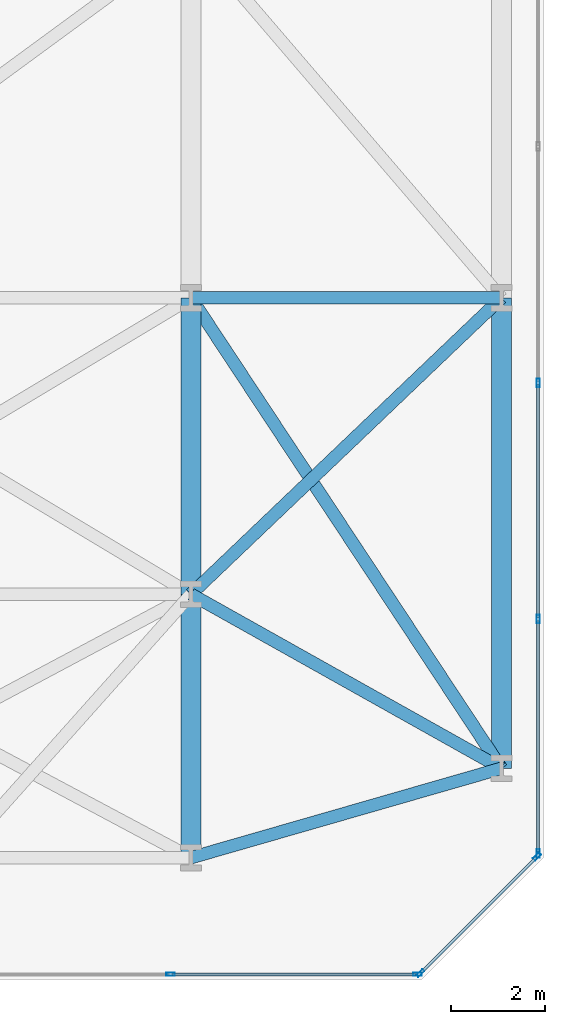
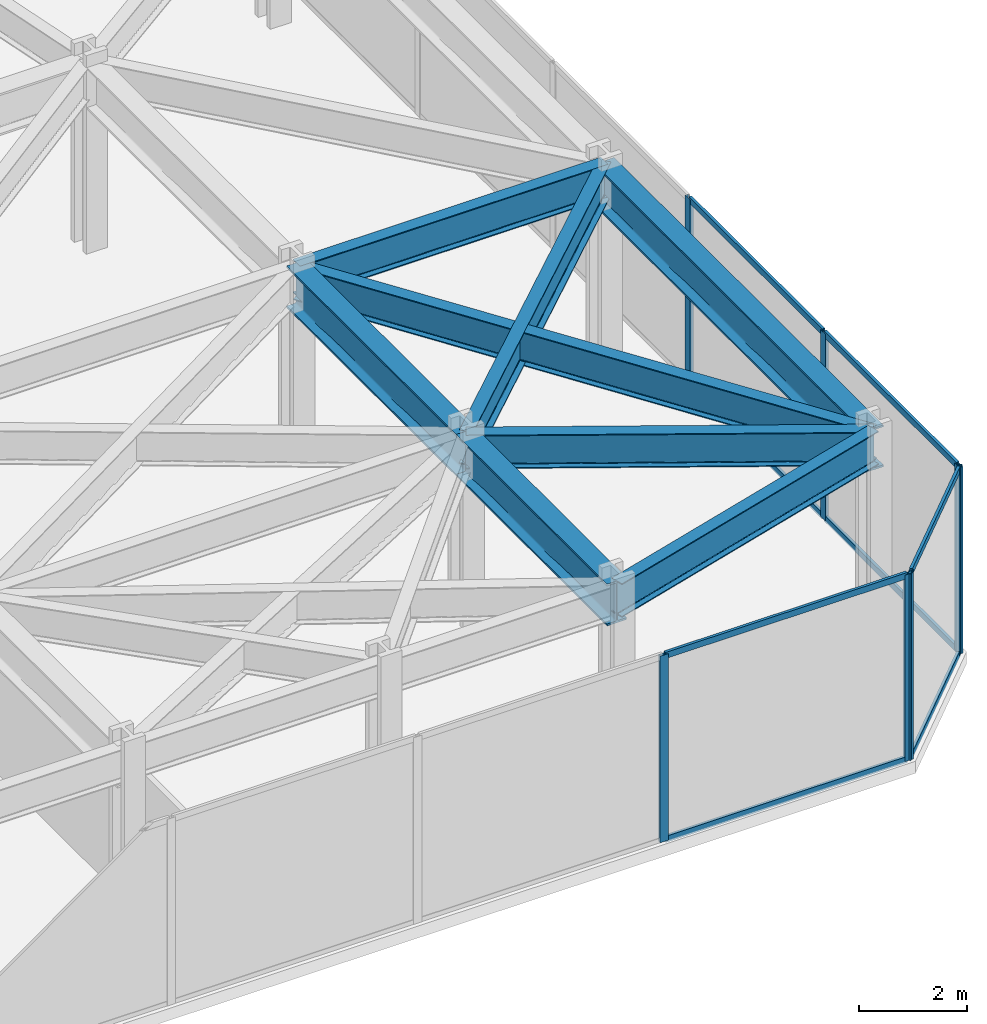
# One storey, part 21 of 28: 15 members, 8 beams, 3 elements without a shape of their own.
"""IFC4 building model written with IfcOpenShell, lengths in metres."""

from ifc_helpers import new_model, si_unit, direction, frame, origin, origin_2d, place, context, subcontext, project, spatial, hollow_rectangle, i_section, extrude, material, layer, layer_set, material_profile, profile_set, type_object, element, aggregate, save


model = new_model("IFC4")

# Units and contexts
model_context = context("Model", 3, precision=1e-05, world=origin(), true_north=direction((0.0, 1.0)))
body_context = subcontext(model_context, "Body", "Model", "MODEL_VIEW")
ifc_project = project(units=[si_unit("LENGTHUNIT", "METRE"), si_unit("AREAUNIT", "SQUARE_METRE"), si_unit("VOLUMEUNIT", "CUBIC_METRE"), si_unit("PLANEANGLEUNIT", "RADIAN"), si_unit("MASSUNIT", "GRAM", prefix="KILO")], contexts=[model_context])

# Site, building, storey
site_placement = place(None, origin())
site = spatial("IfcSite", under=ifc_project, at=site_placement, CompositionType="ELEMENT")
building_placement = place(site_placement, origin())
building = spatial("IfcBuilding", under=site, at=building_placement, Name="Kravanh Interchange Tower", CompositionType="ELEMENT")
storey_placement = place(building_placement, frame((0.0, 0.0, 15.300048828125)))
storey = spatial("IfcBuildingStorey", under=building, at=storey_placement, Name="L03", CompositionType="ELEMENT", Elevation=15.300048828125)

# Curtain wall, members
ifc_material_1 = material(Name="Anodised Bronze Aluminium", Category="aluminium")
ifc_layer = layer(ifc_material_1, 0.179931640625)
ifc_layer_set = layer_set([ifc_layer], Name="Unitised Curtain Wall System CW-POD Podium Concourse")
curtain_wall_type = type_object("IfcCurtainWallType", Name="Unitised Curtain Wall System CW-POD Podium Concourse", PredefinedType="NOTDEFINED", material=ifc_layer_set)
curtain_wall_1_placement = place(storey_placement, origin())
curtain_wall_1 = element("IfcCurtainWall", 1, at=curtain_wall_1_placement, inside=storey, type_object=curtain_wall_type, Name="L03 Unitised Curtain Wall CW-L03-02", PredefinedType="NOTDEFINED")
ifc_material_2 = material(Name="Anodised Bronze Aluminium", Category="aluminium")
ifc_material_profile_1 = material_profile(ifc_material_2, hollow_rectangle(XDim=0.070068359375, YDim=0.179931640625, WallThickness=0.00390625, at=origin_2d()), Name="ALU70X180X4")
ifc_profile_set_1 = profile_set([ifc_material_profile_1], Name="Anodised Bronze Aluminium")
member_type_1 = type_object("IfcMemberType", Name="Curtain Wall Mullion ALU70X180X4 Bronze", PredefinedType="MULLION", material=ifc_profile_set_1)
member_1_placement = place(storey_placement, frame((73.8798828125, 12.692626953125, 0.0), z_axis=(0.0, 0.0, 1.0), x_axis=(1.0, 0.0, 0.0)))
member_1 = element("IfcMember", 2, at=member_1_placement, type_object=member_type_1, Name="CW-POD mullion 6", PredefinedType="MULLION", context=body_context, shape_type="SweptSolid", body=[
    extrude(hollow_rectangle(XDim=0.070068359375, YDim=0.179931640625, WallThickness=0.00390625, at=origin_2d()), origin(), (0.0, 0.0, 1.0), 4.22998046875),
])
member_2_placement = place(storey_placement, frame((73.8798828125, 7.671142578125, 0.0), z_axis=(0.0, 0.0, 1.0), x_axis=(1.0, 0.0, 0.0)))
member_2 = element("IfcMember", 3, at=member_2_placement, type_object=member_type_1, Name="CW-POD mullion 7", PredefinedType="MULLION", context=body_context, shape_type="SweptSolid", body=[
    extrude(hollow_rectangle(XDim=0.070068359375, YDim=0.179931640625, WallThickness=0.00390625, at=origin_2d()), origin(), (0.0, 0.0, 1.0), 4.22998046875),
])
member_3_placement = place(storey_placement, frame((73.8798828125, 2.684814453125, 0.0), z_axis=(0.0, 0.0, 1.0), x_axis=(1.0, 0.0, 0.0)))
member_3 = element("IfcMember", 4, at=member_3_placement, type_object=member_type_1, Name="CW-POD mullion 8", PredefinedType="MULLION", context=body_context, shape_type="SweptSolid", body=[
    extrude(hollow_rectangle(XDim=0.070068359375, YDim=0.179931640625, WallThickness=0.00390625, at=origin_2d()), origin(), (0.0, 0.0, 1.0), 4.22998046875),
])

curtain_wall_2_placement = place(storey_placement, origin())
curtain_wall_2 = element("IfcCurtainWall", 5, at=curtain_wall_2_placement, inside=storey, type_object=curtain_wall_type, Name="L03 Unitised Curtain Wall CW-L03-03", PredefinedType="NOTDEFINED")
member_4_placement = place(storey_placement, frame((73.855224609375, 2.625, 0.0), z_axis=(0.0, 0.0, 1.0), x_axis=(0.707106781187, -0.707106781187, 0.0)))
member_4 = element("IfcMember", 6, at=member_4_placement, type_object=member_type_1, Name="CW-POD mullion 1", PredefinedType="MULLION", context=body_context, shape_type="SweptSolid", body=[
    extrude(hollow_rectangle(XDim=0.070068359375, YDim=0.179931640625, WallThickness=0.00390625, at=origin_2d()), origin(), (0.0, 0.0, 1.0), 4.22998046875),
])
member_5_placement = place(storey_placement, frame((71.375, 0.144775390625, 0.0), z_axis=(0.0, 0.0, 1.0), x_axis=(0.707106781187, -0.707106781187, 0.0)))
member_5 = element("IfcMember", 7, at=member_5_placement, type_object=member_type_1, Name="CW-POD mullion 2", PredefinedType="MULLION", context=body_context, shape_type="SweptSolid", body=[
    extrude(hollow_rectangle(XDim=0.070068359375, YDim=0.179931640625, WallThickness=0.00390625, at=origin_2d()), origin(), (0.0, 0.0, 1.0), 4.22998046875),
])

curtain_wall_3_placement = place(storey_placement, origin())
curtain_wall_3 = element("IfcCurtainWall", 8, at=curtain_wall_3_placement, inside=storey, type_object=curtain_wall_type, Name="L03 Unitised Curtain Wall CW-L03-04", PredefinedType="NOTDEFINED")
member_6_placement = place(storey_placement, frame((71.315185546875, 0.1201171875, 0.0), z_axis=(0.0, 0.0, 1.0), x_axis=(0.0, -1.0, 0.0)))
member_6 = element("IfcMember", 9, at=member_6_placement, type_object=member_type_1, Name="CW-POD mullion 1", PredefinedType="MULLION", context=body_context, shape_type="SweptSolid", body=[
    extrude(hollow_rectangle(XDim=0.070068359375, YDim=0.179931640625, WallThickness=0.00390625, at=origin_2d()), origin(), (0.0, 0.0, 1.0), 4.22998046875),
])
member_7_placement = place(storey_placement, frame((66.065673828125, 0.1201171875, 0.0), z_axis=(0.0, 0.0, 1.0), x_axis=(0.0, -1.0, 0.0)))
member_7 = element("IfcMember", 10, at=member_7_placement, type_object=member_type_1, Name="CW-POD mullion 2", PredefinedType="MULLION", context=body_context, shape_type="SweptSolid", body=[
    extrude(hollow_rectangle(XDim=0.070068359375, YDim=0.179931640625, WallThickness=0.00390625, at=origin_2d()), origin(), (0.0, 0.0, 1.0), 4.22998046875),
])

# Member
ifc_material_3 = material(Name="Anodised Bronze Aluminium", Category="aluminium")
ifc_material_profile_2 = material_profile(ifc_material_3, hollow_rectangle(XDim=0.06005859375, YDim=0.139892578125, WallThickness=0.00390625, at=origin_2d()), Name="ALU60X140X4")
ifc_profile_set_2 = profile_set([ifc_material_profile_2], Name="Anodised Bronze Aluminium")
member_type_2 = type_object("IfcMemberType", Name="Curtain Wall Transom ALU60X140X4 Bronze", PredefinedType="USERDEFINED", material=ifc_profile_set_2)
member_8_placement = place(storey_placement, frame((73.8798828125, 12.65771484375, 0.030029296875), z_axis=(0.0, -1.0, 0.0), x_axis=(1.0, 0.0, 0.0)))
member_8 = element("IfcMember", 11, at=member_8_placement, type_object=member_type_2, Name="CW-POD transom 6.1", ObjectType="TRANSOM", PredefinedType="USERDEFINED", context=body_context, shape_type="SweptSolid", body=[
    extrude(hollow_rectangle(XDim=0.06005859375, YDim=0.139892578125, WallThickness=0.00390625, at=origin_2d()), origin(), (0.0, 0.0, 1.0), 4.95166015625),
])

member_9_placement = place(storey_placement, frame((73.8798828125, 12.65771484375, 4.199951171875), z_axis=(0.0, -1.0, 0.0), x_axis=(1.0, 0.0, 0.0)))
member_9 = element("IfcMember", 12, at=member_9_placement, type_object=member_type_2, Name="CW-POD transom 6.2", ObjectType="TRANSOM", PredefinedType="USERDEFINED", context=body_context, shape_type="SweptSolid", body=[
    extrude(hollow_rectangle(XDim=0.06005859375, YDim=0.139892578125, WallThickness=0.00390625, at=origin_2d()), origin(), (0.0, 0.0, 1.0), 4.95166015625),
])

member_10_placement = place(storey_placement, frame((73.8798828125, 7.63623046875, 0.030029296875), z_axis=(0.0, -1.0, 0.0), x_axis=(1.0, 0.0, 0.0)))
member_10 = element("IfcMember", 13, at=member_10_placement, type_object=member_type_2, Name="CW-POD transom 7.1", ObjectType="TRANSOM", PredefinedType="USERDEFINED", context=body_context, shape_type="SweptSolid", body=[
    extrude(hollow_rectangle(XDim=0.06005859375, YDim=0.139892578125, WallThickness=0.00390625, at=origin_2d()), origin(), (0.0, 0.0, 1.0), 4.91650390625),
])

member_11_placement = place(storey_placement, frame((73.8798828125, 7.63623046875, 4.199951171875), z_axis=(0.0, -1.0, 0.0), x_axis=(1.0, 0.0, 0.0)))
member_11 = element("IfcMember", 14, at=member_11_placement, type_object=member_type_2, Name="CW-POD transom 7.2", ObjectType="TRANSOM", PredefinedType="USERDEFINED", context=body_context, shape_type="SweptSolid", body=[
    extrude(hollow_rectangle(XDim=0.06005859375, YDim=0.139892578125, WallThickness=0.00390625, at=origin_2d()), origin(), (0.0, 0.0, 1.0), 4.91650390625),
])

aggregate(curtain_wall_1, [member_1, member_2, member_3, member_8, member_9, member_10, member_11])

member_12_placement = place(storey_placement, frame((73.83056640625, 2.60009765625, 0.030029296875), z_axis=(-0.707106781187, -0.707106781187, 0.0), x_axis=(0.707106781187, -0.707106781187, 0.0)))
member_12 = element("IfcMember", 15, at=member_12_placement, type_object=member_type_2, Name="CW-POD transom 1.1", ObjectType="TRANSOM", PredefinedType="USERDEFINED", context=body_context, shape_type="SweptSolid", body=[
    extrude(hollow_rectangle(XDim=0.06005859375, YDim=0.139892578125, WallThickness=0.00390625, at=origin_2d()), origin(), (0.0, 0.0, 1.0), 3.4375),
])

member_13_placement = place(storey_placement, frame((73.83056640625, 2.60009765625, 4.199951171875), z_axis=(-0.707106781187, -0.707106781187, 0.0), x_axis=(0.707106781187, -0.707106781187, 0.0)))
member_13 = element("IfcMember", 16, at=member_13_placement, type_object=member_type_2, Name="CW-POD transom 1.2", ObjectType="TRANSOM", PredefinedType="USERDEFINED", context=body_context, shape_type="SweptSolid", body=[
    extrude(hollow_rectangle(XDim=0.06005859375, YDim=0.139892578125, WallThickness=0.00390625, at=origin_2d()), origin(), (0.0, 0.0, 1.0), 3.4375),
])

aggregate(curtain_wall_2, [member_4, member_5, member_12, member_13])

member_14_placement = place(storey_placement, frame((71.2802734375, 0.1201171875, 0.030029296875), z_axis=(-1.0, 0.0, 0.0), x_axis=(0.0, -1.0, 0.0)))
member_14 = element("IfcMember", 17, at=member_14_placement, type_object=member_type_2, Name="CW-POD transom 1.1", ObjectType="TRANSOM", PredefinedType="USERDEFINED", context=body_context, shape_type="SweptSolid", body=[
    extrude(hollow_rectangle(XDim=0.06005859375, YDim=0.139892578125, WallThickness=0.00390625, at=origin_2d()), origin(), (0.0, 0.0, 1.0), 5.1796875),
])

member_15_placement = place(storey_placement, frame((71.2802734375, 0.1201171875, 4.199951171875), z_axis=(-1.0, 0.0, 0.0), x_axis=(0.0, -1.0, 0.0)))
member_15 = element("IfcMember", 18, at=member_15_placement, type_object=member_type_2, Name="CW-POD transom 1.2", ObjectType="TRANSOM", PredefinedType="USERDEFINED", context=body_context, shape_type="SweptSolid", body=[
    extrude(hollow_rectangle(XDim=0.06005859375, YDim=0.139892578125, WallThickness=0.00390625, at=origin_2d()), origin(), (0.0, 0.0, 1.0), 5.1796875),
])

aggregate(curtain_wall_3, [member_6, member_7, member_14, member_15])

# Beams
ifc_material_4 = material(Name="Structural Steel S450", Category="steel")
ifc_material_profile_3 = material_profile(ifc_material_4, i_section(OverallWidth=0.423095703125, OverallDepth=0.947998046875, WebThickness=0.02392578125, FlangeThickness=0.042724609375, FilletRadius=0.028076171875, at=origin_2d()), Name="W36X302")
ifc_profile_set_3 = profile_set([ifc_material_profile_3], Name="Structural Steel S450")
beam_type_1 = type_object("IfcBeamType", Name="Floor Beam W36X302 Structural Steel S450", PredefinedType="BEAM", material=ifc_profile_set_3)
beam_1_placement = place(storey_placement, frame((66.5, 2.60009765625, 3.755859375), z_axis=(0.0, 1.0, 0.0), x_axis=(-1.0, 0.0, 0.0)))
element("IfcBeam", 19, at=beam_1_placement, inside=storey, type_object=beam_type_1, Name="L03 Primary Floor Girder 20", PredefinedType="BEAM", context=body_context, shape_type="SweptSolid", body=[
    extrude(i_section(OverallWidth=0.423095703125, OverallDepth=0.947998046875, WebThickness=0.02392578125, FlangeThickness=0.042724609375, FilletRadius=0.028076171875, at=origin_2d()), origin(), (0.0, 0.0, 1.0), 5.599853515625),
])
beam_2_placement = place(storey_placement, frame((66.5, 8.199951171875, 3.755859375), z_axis=(0.0, 1.0, 0.0), x_axis=(-1.0, 0.0, 0.0)))
element("IfcBeam", 20, at=beam_2_placement, inside=storey, type_object=beam_type_1, Name="L03 Primary Floor Girder 33", PredefinedType="BEAM", context=body_context, shape_type="SweptSolid", body=[
    extrude(i_section(OverallWidth=0.423095703125, OverallDepth=0.947998046875, WebThickness=0.02392578125, FlangeThickness=0.042724609375, FilletRadius=0.028076171875, at=origin_2d()), origin(), (0.0, 0.0, 1.0), 6.300048828125),
])
beam_3_placement = place(storey_placement, frame((73.10009765625, 4.5, 3.755859375), z_axis=(0.0, 1.0, 0.0), x_axis=(-1.0, 0.0, 0.0)))
element("IfcBeam", 21, at=beam_3_placement, inside=storey, type_object=beam_type_1, Name="L03 Primary Floor Girder 127", PredefinedType="BEAM", context=body_context, shape_type="SweptSolid", body=[
    extrude(i_section(OverallWidth=0.423095703125, OverallDepth=0.947998046875, WebThickness=0.02392578125, FlangeThickness=0.042724609375, FilletRadius=0.028076171875, at=origin_2d()), origin(), (0.0, 0.0, 1.0), 10.0),
])
ifc_material_5 = material(Name="Structural Steel S355", Category="steel")
ifc_material_profile_4 = material_profile(ifc_material_5, i_section(OverallWidth=0.26708984375, OverallDepth=0.761962890625, WebThickness=0.014404296875, FlangeThickness=0.021484375, FilletRadius=0.02490234375, at=origin_2d()), Name="W30X116")
ifc_profile_set_4 = profile_set([ifc_material_profile_4], Name="Structural Steel S355")
beam_type_2 = type_object("IfcBeamType", Name="Floor Spandrel W30X116 Structural Steel S355", PredefinedType="SPANDREL", material=ifc_profile_set_4)
beam_4_placement = place(storey_placement, frame((66.5, 2.60009765625, 3.848876953125), z_axis=(0.960977451506, 0.27662671183, 0.0), x_axis=(-0.27662671183, 0.960977451506, 0.0)))
element("IfcBeam", 22, at=beam_4_placement, inside=storey, type_object=beam_type_2, Name="L03 Perimeter Spandrel 21", PredefinedType="SPANDREL", context=body_context, shape_type="SweptSolid", body=[
    extrude(i_section(OverallWidth=0.26708984375, OverallDepth=0.761962890625, WebThickness=0.014404296875, FlangeThickness=0.021484375, FilletRadius=0.02490234375, at=origin_2d()), origin(), (0.0, 0.0, 1.0), 6.8681640625),
])
beam_5_placement = place(storey_placement, frame((66.5, 8.199951171875, 3.848876953125), z_axis=(0.872286391466, -0.488995348918, 0.0), x_axis=(0.488995348918, 0.872286391466, 0.0)))
element("IfcBeam", 23, at=beam_5_placement, inside=storey, type_object=beam_type_2, Name="L03 Perimeter Spandrel 34", PredefinedType="SPANDREL", context=body_context, shape_type="SweptSolid", body=[
    extrude(i_section(OverallWidth=0.26708984375, OverallDepth=0.761962890625, WebThickness=0.014404296875, FlangeThickness=0.021484375, FilletRadius=0.02490234375, at=origin_2d()), origin(), (0.0, 0.0, 1.0), 7.56640625),
])
beam_6_placement = place(storey_placement, frame((66.5, 8.199951171875, 3.848876953125), z_axis=(0.723357973995, 0.690473201115, 0.0), x_axis=(-0.690473201115, 0.723357973995, 0.0)))
element("IfcBeam", 24, at=beam_6_placement, inside=storey, type_object=beam_type_2, Name="L03 Perimeter Spandrel 35", PredefinedType="SPANDREL", context=body_context, shape_type="SweptSolid", body=[
    extrude(i_section(OverallWidth=0.26708984375, OverallDepth=0.761962890625, WebThickness=0.014404296875, FlangeThickness=0.021484375, FilletRadius=0.02490234375, at=origin_2d()), origin(), (0.0, 0.0, 1.0), 9.124267578125),
])
beam_7_placement = place(storey_placement, frame((66.5, 14.5, 3.848876953125), z_axis=(1.0, 0.0, 0.0), x_axis=(0.0, 1.0, 0.0)))
element("IfcBeam", 25, at=beam_7_placement, inside=storey, type_object=beam_type_2, Name="L03 Perimeter Spandrel 53", PredefinedType="SPANDREL", context=body_context, shape_type="SweptSolid", body=[
    extrude(i_section(OverallWidth=0.26708984375, OverallDepth=0.761962890625, WebThickness=0.014404296875, FlangeThickness=0.021484375, FilletRadius=0.02490234375, at=origin_2d()), origin(), (0.0, 0.0, 1.0), 6.60009765625),
])
beam_8_placement = place(storey_placement, frame((66.5, 14.5, 3.848876953125), z_axis=(0.550847885697, -0.834605659472, 0.0), x_axis=(0.834605659472, 0.550847885697, 0.0)))
element("IfcBeam", 26, at=beam_8_placement, inside=storey, type_object=beam_type_2, Name="L03 Perimeter Spandrel 55", PredefinedType="SPANDREL", context=body_context, shape_type="SweptSolid", body=[
    extrude(i_section(OverallWidth=0.26708984375, OverallDepth=0.761962890625, WebThickness=0.014404296875, FlangeThickness=0.021484375, FilletRadius=0.02490234375, at=origin_2d()), origin(), (0.0, 0.0, 1.0), 11.981689453125),
])

save(model, "model.ifc")
